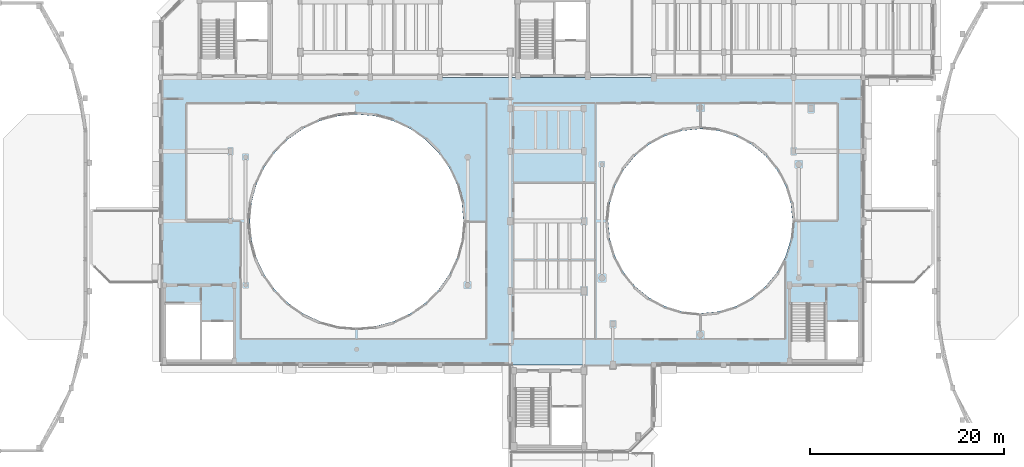
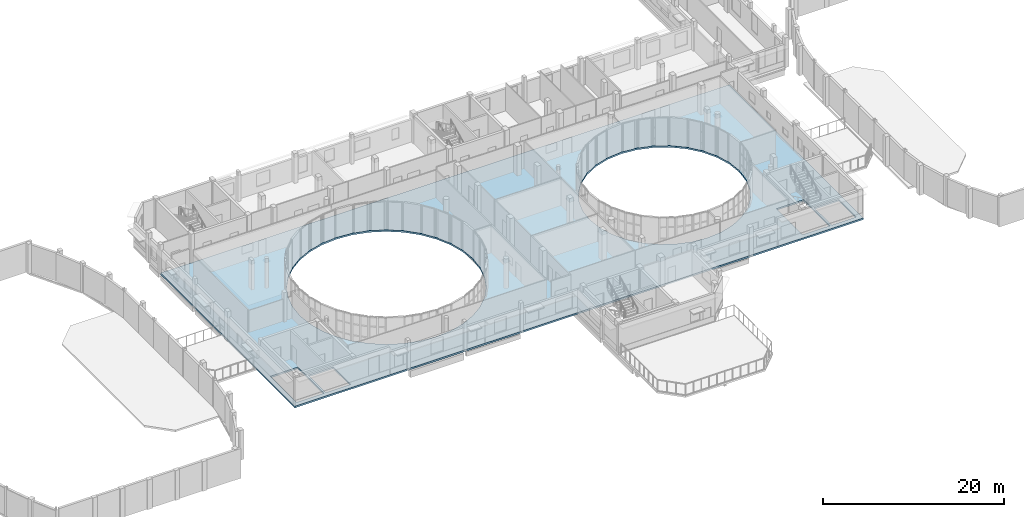
# One storey, part 58 of 89: 1 slab.
"""IFC4 building model written with IfcOpenShell, lengths in metres."""

from ifc_helpers import new_model, si_unit, direction, frame, origin, place, context, subcontext, project, spatial, polyline, outline, extrude, material, layer, layer_set, type_object, element, save


model = new_model("IFC4")

# Units and contexts
model_context = context("Model", 3, precision=1e-05, world=origin(), true_north=direction((0.0, 1.0)))
body_context = subcontext(model_context, "Body", "Model", "MODEL_VIEW")
ifc_project = project(units=[si_unit("LENGTHUNIT", "METRE"), si_unit("AREAUNIT", "SQUARE_METRE"), si_unit("VOLUMEUNIT", "CUBIC_METRE"), si_unit("PLANEANGLEUNIT", "RADIAN"), si_unit("MASSUNIT", "GRAM", prefix="KILO")], contexts=[model_context])

# Site, building, storey
site_placement = place(None, origin())
site = spatial("IfcSite", under=ifc_project, at=site_placement, CompositionType="ELEMENT")
building_placement = place(site_placement, origin())
building = spatial("IfcBuilding", under=site, at=building_placement, Name="Kelanivale Promenade Academy", CompositionType="ELEMENT")
storey_placement = place(building_placement, frame((0.0, 0.0, 12.199951171875)))
storey = spatial("IfcBuildingStorey", under=building, at=storey_placement, Name="L03", CompositionType="ELEMENT", Elevation=12.199951171875)

# Slab
ifc_material = material(Name="Concrete C35/45", Category="concrete")
ifc_layer = layer(ifc_material, 0.219970703125)
ifc_layer_set = layer_set([ifc_layer], Name="Concrete C35/45")
slab_type = type_object("IfcSlabType", Name="FS-01 Slab 220mm", PredefinedType="FLOOR", material=ifc_layer_set)
slab_placement = place(storey_placement, frame((0.0, 0.0, -0.219970703125)))
element("IfcSlab", 1, at=slab_placement, inside=storey, type_object=slab_type, Name="L03 structural slab SLB-L03-V4C", PredefinedType="FLOOR", context=body_context, shape_type="SweptSolid", body=[
    extrude(outline(polyline([(115.60009765625, 42.0), (115.60009765625, 71.60009765625), (43.199951171875, 71.60009765625), (43.199951171875, 42.0), (115.60009765625, 42.0)]), holes=[polyline([(115.034912109375, 42.56494140625), (111.885009765625, 42.56494140625), (111.885009765625, 46.425048828125), (115.034912109375, 46.425048828125), (115.034912109375, 42.56494140625)]), polyline([(111.6650390625, 48.344970703125), (111.6650390625, 42.56494140625), (108.1650390625, 42.56494140625), (108.1650390625, 48.344970703125), (111.6650390625, 48.344970703125)]), polyline([(95.1650390625, 65.576904296875), (96.947021484375, 66.116943359375), (98.800048828125, 66.300048828125), (100.653076171875, 66.116943359375), (102.43505859375, 65.576904296875), (104.077880859375, 64.698974609375), (105.51806640625, 63.51806640625), (106.698974609375, 62.077880859375), (107.576904296875, 60.43505859375), (108.116943359375, 58.653076171875), (108.300048828125, 56.800048828125), (108.116943359375, 54.947021484375), (107.576904296875, 53.1650390625), (106.698974609375, 51.52197265625), (105.51806640625, 50.08203125), (104.077880859375, 48.90087890625), (102.43505859375, 48.02294921875), (100.653076171875, 47.48291015625), (98.800048828125, 47.300048828125), (96.947021484375, 47.48291015625), (95.1650390625, 48.02294921875), (93.52197265625, 48.90087890625), (92.08203125, 50.08203125), (90.90087890625, 51.52197265625), (90.02294921875, 53.1650390625), (89.48291015625, 54.947021484375), (89.300048828125, 56.800048828125), (89.48291015625, 58.653076171875), (90.02294921875, 60.43505859375), (90.90087890625, 62.077880859375), (92.08203125, 63.51806640625), (93.52197265625, 64.698974609375), (95.1650390625, 65.576904296875)]), polyline([(61.489990234375, 67.633056640625), (63.39990234375, 67.800048828125), (65.31005859375, 67.633056640625), (67.162109375, 67.136962890625), (68.89990234375, 66.325927734375), (70.470947265625, 65.22607421875), (71.825927734375, 63.87109375), (72.926025390625, 62.300048828125), (73.737060546875, 60.56201171875), (74.23291015625, 58.7099609375), (74.39990234375, 56.800048828125), (74.23291015625, 54.889892578125), (73.737060546875, 53.0380859375), (72.926025390625, 51.300048828125), (71.825927734375, 49.72900390625), (70.470947265625, 48.3740234375), (68.89990234375, 47.27392578125), (67.162109375, 46.462890625), (65.31005859375, 45.967041015625), (63.39990234375, 45.800048828125), (61.489990234375, 45.967041015625), (59.637939453125, 46.462890625), (57.89990234375, 47.27392578125), (56.3291015625, 48.3740234375), (54.97412109375, 49.72900390625), (53.8740234375, 51.300048828125), (53.06298828125, 53.0380859375), (52.56689453125, 54.889892578125), (52.39990234375, 56.800048828125), (52.56689453125, 58.7099609375), (53.06298828125, 60.56201171875), (53.8740234375, 62.300048828125), (54.97412109375, 63.87109375), (56.3291015625, 65.22607421875), (57.89990234375, 66.325927734375), (59.637939453125, 67.136962890625), (61.489990234375, 67.633056640625)]), polyline([(47.485107421875, 46.425048828125), (50.635009765625, 46.425048828125), (50.635009765625, 42.56494140625), (47.485107421875, 42.56494140625), (47.485107421875, 46.425048828125)]), polyline([(43.764892578125, 42.56494140625), (43.764892578125, 48.344970703125), (47.264892578125, 48.344970703125), (47.264892578125, 42.56494140625), (43.764892578125, 42.56494140625)])]), origin(), (0.0, 0.0, 1.0), 0.219970703125),
])

save(model, "model.ifc")
